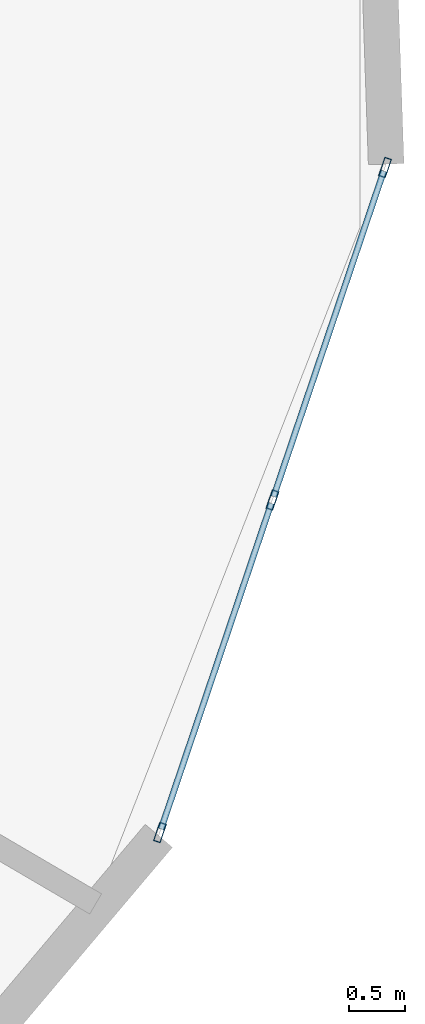
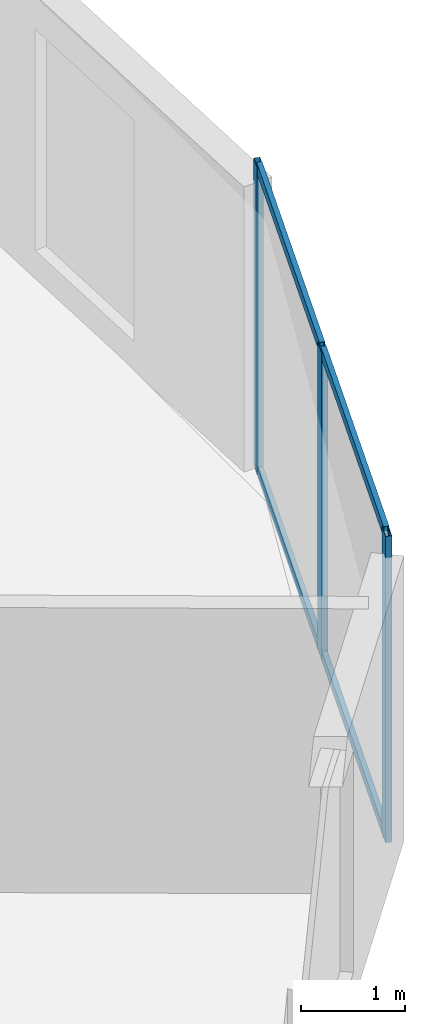
# One storey, part 11 of 25: 7 members, 1 element without a shape of its own.
"""IFC4 building model written with IfcOpenShell, lengths in metres."""

import ifcopenshell
import ifcopenshell.guid

model = None  # the IFC model being written
_history = None  # IfcOwnerHistory: only IFC2X3 demands one
_inside = {}  # id of a spatial element -> (the spatial element, [elements in it])
_under = {}  # id of a project, library or spatial element -> (it, [spatial elements below it])
_declared = {}  # id of a project -> (the project, [libraries it declares])
_typed = {}  # id of a type object -> (the type object, [elements of that type])
_made_of = {}  # id of a material, layer set ... -> (it, [elements and type objects made of it])


def new_model(schema):
    """Start an empty IFC model of exactly this schema.

    Asked for "IFC4X3", IfcOpenShell would pick the latest addendum, in which some entities
    have other attributes; the version numbers below select the first issue.
    IFC2X3 requires an IfcOwnerHistory on every rooted entity: one is made here for all.
    """
    global model, _history
    if schema == "IFC4X3":
        model = ifcopenshell.file(schema_version=(4, 3, 0, 0))
    else:
        model = ifcopenshell.file(schema=schema)
    _inside.clear()
    _under.clear()
    _declared.clear()
    _typed.clear()
    _made_of.clear()
    _history = None
    if model.schema == "IFC2X3":
        org = make("IfcOrganization", Name="unknown")
        user = make(
            "IfcPersonAndOrganization",
            ThePerson=make("IfcPerson", FamilyName="unknown"),
            TheOrganization=org,
        )
        app = make(
            "IfcApplication",
            ApplicationDeveloper=org,
            Version="unknown",
            ApplicationFullName="unknown",
            ApplicationIdentifier="unknown",
        )
        _history = make(
            "IfcOwnerHistory",
            OwningUser=user,
            OwningApplication=app,
            ChangeAction="ADDED",
            CreationDate=0,
        )
    return model


def make(cls, **values):
    """One entity of the class cls with the attributes given. An attribute that is None is left unset."""
    return model.create_entity(
        cls, **{name: value for name, value in values.items() if value is not None}
    )


def rooted(cls, **values):
    """An entity with a GlobalId (a new one), such as an element, a storey or a relation."""
    return make(cls, GlobalId=ifcopenshell.guid.new(), OwnerHistory=_history, **values)


def si_unit(unit_type, name, prefix=None):
    """IfcSIUnit, for example si_unit("LENGTHUNIT", "METRE", prefix="MILLI")."""
    return make("IfcSIUnit", UnitType=unit_type, Prefix=prefix, Name=name)


def assignment(units):
    """IfcUnitAssignment: the units of a project."""
    return None if units is None else make("IfcUnitAssignment", Units=units)


def point(xyz):
    """IfcCartesianPoint."""
    return None if xyz is None else make("IfcCartesianPoint", Coordinates=xyz)


def direction(xyz):
    """IfcDirection."""
    return None if xyz is None else make("IfcDirection", DirectionRatios=xyz)


def frame(location, z_axis=None, x_axis=None):
    """IfcAxis2Placement3D, a coordinate frame: its origin and axes. An axis left out is left unset."""
    return make(
        "IfcAxis2Placement3D",
        Location=point(location),
        Axis=direction(z_axis),
        RefDirection=direction(x_axis),
    )


def frame_2d(location, x_axis=None):
    """IfcAxis2Placement2D, a coordinate frame in the plane: its origin and x axis."""
    return make(
        "IfcAxis2Placement2D", Location=point(location), RefDirection=direction(x_axis)
    )


def origin():
    """The frame at (0, 0, 0) with its axes left unset."""
    return frame((0.0, 0.0, 0.0))


def origin_2d():
    """The frame at (0, 0) in the plane with its x axis left unset."""
    return frame_2d((0.0, 0.0))


def place(relative_to, where):
    """IfcLocalPlacement: puts the frame where relative to a parent placement (None: the world)."""
    return make(
        "IfcLocalPlacement", PlacementRelTo=relative_to, RelativePlacement=where
    )


def context(
    kind, dimensions, precision=None, world=None, true_north=None, identifier=None
):
    """IfcGeometricRepresentationContext, for example the 3D "Model" context."""
    return make(
        "IfcGeometricRepresentationContext",
        ContextIdentifier=identifier,
        ContextType=kind,
        CoordinateSpaceDimension=dimensions,
        Precision=precision,
        WorldCoordinateSystem=world,
        TrueNorth=true_north,
    )


def subcontext(parent, identifier, kind, view, scale=None):
    """IfcGeometricRepresentationSubContext, for example "Body" below "Model"."""
    return make(
        "IfcGeometricRepresentationSubContext",
        ContextIdentifier=identifier,
        ContextType=kind,
        ParentContext=parent,
        TargetScale=scale,
        TargetView=view,
    )


def project(units=None, contexts=None):
    """IfcProject with its units and contexts."""
    return rooted(
        "IfcProject",
        Name="project",
        RepresentationContexts=contexts,
        UnitsInContext=assignment(units),
    )


def spatial(cls, under=None, at=None, **own):
    """A site, building, storey or space (cls), placed at a placement, below another one or the project."""
    s = rooted(cls, ObjectPlacement=at, **own)
    if under is not None:
        _under.setdefault(under.id(), (under, []))[1].append(s)
    return s


def profile(cls, at=None, kind="AREA", **sizes):
    """A parametric profile (cls). Its sizes go by their IFC names, for example OverallWidth=200.0."""
    return make(cls, ProfileType=kind, Position=at, **sizes)


def hollow_rectangle(**sizes):
    """IfcRectangleHollowProfileDef."""
    return profile("IfcRectangleHollowProfileDef", **sizes)


def extrude(swept, where, along, depth):
    """IfcExtrudedAreaSolid: the profile swept, set in the frame where, extruded along a direction by depth."""
    return make(
        "IfcExtrudedAreaSolid",
        SweptArea=swept,
        Position=where,
        ExtrudedDirection=direction(along),
        Depth=depth,
    )


def shape(context_of_items, identifier, shape_type, items):
    """IfcShapeRepresentation: the items that make up one representation, for example the "Body"."""
    return make(
        "IfcShapeRepresentation",
        ContextOfItems=context_of_items,
        RepresentationIdentifier=identifier,
        RepresentationType=shape_type,
        Items=items,
    )


def source(mapping_origin, context_of_items, identifier, shape_type, items):
    """IfcRepresentationMap: a shape defined once, which mapped items show again and again."""
    return make(
        "IfcRepresentationMap",
        MappingOrigin=mapping_origin,
        MappedRepresentation=shape(context_of_items, identifier, shape_type, items),
    )


def transform(
    local_origin,
    x_axis=None,
    y_axis=None,
    z_axis=None,
    scale=None,
    scale2=None,
    scale3=None,
    uniform=True,
):
    """IfcCartesianTransformationOperator3D, or its non-uniform kind. x_axis, y_axis, z_axis: its Axis1, 2, 3."""
    if uniform:
        return make(
            "IfcCartesianTransformationOperator3D",
            Axis1=direction(x_axis),
            Axis2=direction(y_axis),
            LocalOrigin=point(local_origin),
            Scale=scale,
            Axis3=direction(z_axis),
        )
    return make(
        "IfcCartesianTransformationOperator3DnonUniform",
        Axis1=direction(x_axis),
        Axis2=direction(y_axis),
        LocalOrigin=point(local_origin),
        Scale=scale,
        Axis3=direction(z_axis),
        Scale2=scale2,
        Scale3=scale3,
    )


def mapped(mapping_source, mapping_target):
    """IfcMappedItem: shows the shape of a source again, moved by a transform."""
    return make(
        "IfcMappedItem", MappingSource=mapping_source, MappingTarget=mapping_target
    )


def material(Name=None, Category=None):
    """IfcMaterial."""
    return make("IfcMaterial", Name=Name, Category=Category)


def layer(
    of_material, thickness, ventilated=None, Name=None, Category=None, Priority=None
):
    """IfcMaterialLayer: one layer of a wall or slab, of a material (None: an air gap)."""
    return make(
        "IfcMaterialLayer",
        Material=of_material,
        LayerThickness=thickness,
        IsVentilated=ventilated,
        Name=Name,
        Category=Category,
        Priority=Priority,
    )


def layer_set(layers, Name=None):
    """IfcMaterialLayerSet."""
    return make("IfcMaterialLayerSet", MaterialLayers=layers, LayerSetName=Name)


def material_profile(
    of_material, cross_section, Name=None, Category=None, Priority=None
):
    """IfcMaterialProfile: a cross section and its material."""
    return make(
        "IfcMaterialProfile",
        Name=Name,
        Material=of_material,
        Profile=cross_section,
        Priority=Priority,
        Category=Category,
    )


def profile_set(profiles, Name=None, composite=None):
    """IfcMaterialProfileSet."""
    return make(
        "IfcMaterialProfileSet",
        Name=Name,
        MaterialProfiles=profiles,
        CompositeProfile=composite,
    )


def made_of(thing, what):
    """Note that an element or type object is made of a material, layer set ...; save() writes the relation."""
    if what is not None:
        _made_of.setdefault(what.id(), (what, []))[1].append(thing)
    return thing


def type_object(cls, material=None, **own):
    """A type object (cls), such as IfcWallType, which elements share."""
    return made_of(rooted(cls, **own), material)


def element(
    cls,
    number,
    at=None,
    inside=None,
    cuts=None,
    type_object=None,
    material=None,
    context=None,
    identifier="Body",
    shape_type=None,
    held_by="IfcProductDefinitionShape",
    body=None,
    shapes=None,
    **own,
):
    """One element of the class cls, such as IfcWall. Its Tag is "e" and its number.

    at: its placement. inside: the storey or other place that contains it. cuts: it is an
    opening in that element (IfcRelVoidsElement). A single representation is given by context,
    identifier, shape_type and body (its items); several are given by shapes. held_by: the class
    of the entity that holds the representations. save() writes the other relations.
    """
    e = rooted(cls, Tag="e%d" % number, ObjectPlacement=at, **own)
    if body is not None:
        shapes = [shape(context, identifier, shape_type, body)]
    if shapes is not None:
        e.Representation = make(held_by, Representations=shapes)
    if inside is not None:
        _inside.setdefault(inside.id(), (inside, []))[1].append(e)
    if cuts is not None:
        rooted(
            "IfcRelVoidsElement", RelatingBuildingElement=cuts, RelatedOpeningElement=e
        )
    if type_object is not None:
        _typed.setdefault(type_object.id(), (type_object, []))[1].append(e)
    return made_of(e, material)


def aggregate(whole, parts):
    """IfcRelAggregates: a whole, such as a stair, and the parts it consists of."""
    return rooted("IfcRelAggregates", RelatingObject=whole, RelatedObjects=parts)


def save(model, path):
    """Write the relations noted so far, then the file.

    IfcRelAggregates (storeys below a building ...), IfcRelContainedInSpatialStructure (elements
    in a storey), IfcRelDefinesByType, IfcRelAssociatesMaterial and IfcRelDeclares: one each for
    every whole, place, type object, material and project.
    """
    for whole, parts in _under.values():
        aggregate(whole, parts)
    for where, things in _inside.values():
        rooted(
            "IfcRelContainedInSpatialStructure",
            RelatedElements=things,
            RelatingStructure=where,
        )
    for kind, things in _typed.values():
        rooted("IfcRelDefinesByType", RelatedObjects=things, RelatingType=kind)
    for what, things in _made_of.values():
        rooted("IfcRelAssociatesMaterial", RelatedObjects=things, RelatingMaterial=what)
    for by, libraries in _declared.values():
        rooted("IfcRelDeclares", RelatingContext=by, RelatedDefinitions=libraries)
    model.write(path)


model = new_model("IFC4")

# Units and contexts
model_context = context("Model", 3, precision=1e-05, world=origin(), true_north=direction((0.0, 1.0)))
body_context = subcontext(model_context, "Body", "Model", "MODEL_VIEW")
ifc_project = project(units=[si_unit("LENGTHUNIT", "METRE"), si_unit("AREAUNIT", "SQUARE_METRE"), si_unit("VOLUMEUNIT", "CUBIC_METRE"), si_unit("PLANEANGLEUNIT", "RADIAN"), si_unit("MASSUNIT", "GRAM", prefix="KILO")], contexts=[model_context])

# Site, building, storey
site_placement = place(None, origin())
site = spatial("IfcSite", under=ifc_project, at=site_placement, CompositionType="ELEMENT")
building_placement = place(site_placement, origin())
building = spatial("IfcBuilding", under=site, at=building_placement, Name="Solvirekh Grand Hotel", CompositionType="ELEMENT")
storey_placement = place(building_placement, frame((0.0, 0.0, 102.60009765625)))
storey = spatial("IfcBuildingStorey", under=building, at=storey_placement, Name="L25", CompositionType="ELEMENT", Elevation=102.60009765625)

# Curtain wall, members
ifc_material = material(Name="Anodized Bronze Aluminium 6063-T6", Category="aluminium")
ifc_layer = layer(ifc_material, 0.175048828125)
ifc_layer_set = layer_set([ifc_layer], Name="Anodized Bronze Aluminium 6063-T6")
curtain_wall_type = type_object("IfcCurtainWallType", Name="CW_Sys3_MidZoneFlushBronzeCW", PredefinedType="NOTDEFINED", material=ifc_layer_set)
curtain_wall_placement = place(storey_placement, origin())
curtain_wall = element("IfcCurtainWall", 1, at=curtain_wall_placement, inside=storey, type_object=curtain_wall_type, Name="L25 unitised bronze-glass curtain wall CW-L25-C01", PredefinedType="NOTDEFINED")
ifc_material_profile_1 = material_profile(ifc_material, hollow_rectangle(XDim=0.06494140625, YDim=0.175048828125, WallThickness=0.0048828125, at=origin_2d()), Name="ALU RHS 175X65X5")
ifc_profile_set_1 = profile_set([ifc_material_profile_1], Name="Anodized Bronze Aluminium 6063-T6")
member_type_1 = type_object("IfcMemberType", Name="CWMullion_Sys3", PredefinedType="MULLION", material=ifc_profile_set_1)
shared_shape_1 = source(origin(), body_context, "Body", "SweptSolid", [
    extrude(hollow_rectangle(XDim=0.06494140625, YDim=0.175048828125, WallThickness=0.0048828125, at=origin_2d()), origin(), (0.0, 0.0, 1.0), 3.599853515625),
])
member_1_placement = place(storey_placement, frame((22.279541015625, -11.88818359375, 0.0), z_axis=(0.0, 0.0, 1.0), x_axis=(-0.947213035477, 0.320604843106, 0.0)))
member_1 = element("IfcMember", 2, at=member_1_placement, type_object=member_type_1, Name="U03 mullion 1", PredefinedType="MULLION", context=body_context, shape_type="MappedRepresentation", body=[
    mapped(shared_shape_1, transform((0.0, 0.0, 0.0), x_axis=(1.0, 0.0, 0.0), y_axis=(0.0, 1.0, 0.0), z_axis=(0.0, 0.0, 1.0), scale=1.0)),
])
member_2_placement = place(storey_placement, frame((23.2900390625, -8.902587890625, 0.0), z_axis=(0.0, 0.0, 1.0), x_axis=(-0.947213035477, 0.320604843106, 0.0)))
member_2 = element("IfcMember", 3, at=member_2_placement, type_object=member_type_1, Name="U03 mullion 2", PredefinedType="MULLION", context=body_context, shape_type="MappedRepresentation", body=[
    mapped(shared_shape_1, transform((0.0, 0.0, 0.0), x_axis=(1.0, 0.0, 0.0), y_axis=(0.0, 1.0, 0.0), z_axis=(0.0, 0.0, 1.0), scale=1.0)),
])
member_3_placement = place(storey_placement, frame((24.300537109375, -5.916748046875, 0.0), z_axis=(0.0, 0.0, 1.0), x_axis=(-0.947213035477, 0.320604843106, 0.0)))
member_3 = element("IfcMember", 4, at=member_3_placement, type_object=member_type_1, Name="U03 mullion 3", PredefinedType="MULLION", context=body_context, shape_type="MappedRepresentation", body=[
    mapped(shared_shape_1, transform((0.0, 0.0, 0.0), x_axis=(1.0, 0.0, 0.0), y_axis=(0.0, 1.0, 0.0), z_axis=(0.0, 0.0, 1.0), scale=1.0)),
])
ifc_material_profile_2 = material_profile(ifc_material, hollow_rectangle(XDim=0.054931640625, YDim=0.1201171875, WallThickness=0.00390625, at=origin_2d()), Name="ALU RHS 120X55X4")
ifc_profile_set_2 = profile_set([ifc_material_profile_2], Name="Anodized Bronze Aluminium 6063-T6")
member_type_2 = type_object("IfcMemberType", Name="CWTransom_Sys3", PredefinedType="USERDEFINED", material=ifc_profile_set_2)
shared_shape_2 = source(origin(), body_context, "Body", "SweptSolid", [
    extrude(hollow_rectangle(XDim=0.054931640625, YDim=0.1201171875, WallThickness=0.00390625, at=origin_2d()), origin(), (0.0, 0.0, 1.0), 3.087158203125),
])
member_4_placement = place(storey_placement, frame((22.289794921875, -11.857421875, 0.02734375), z_axis=(0.320613640642, 0.947210057714, 0.0), x_axis=(-0.947210057714, 0.320613640642, 0.0)))
member_4 = element("IfcMember", 5, at=member_4_placement, type_object=member_type_2, Name="U03 transom 1.1", ObjectType="TRANSOM", PredefinedType="USERDEFINED", context=body_context, shape_type="MappedRepresentation", body=[
    mapped(shared_shape_2, transform((0.0, 0.0, 0.0), x_axis=(1.0, 0.0, 0.0), y_axis=(0.0, 1.0, 0.0), z_axis=(0.0, 0.0, 1.0), scale=1.0)),
])
member_5_placement = place(storey_placement, frame((22.289794921875, -11.857421875, 3.572509765625), z_axis=(0.320613640642, 0.947210057714, 0.0), x_axis=(-0.947210057714, 0.320613640642, 0.0)))
member_5 = element("IfcMember", 6, at=member_5_placement, type_object=member_type_2, Name="U03 transom 1.2", ObjectType="TRANSOM", PredefinedType="USERDEFINED", context=body_context, shape_type="MappedRepresentation", body=[
    mapped(shared_shape_2, transform((0.0, 0.0, 0.0), x_axis=(1.0, 0.0, 0.0), y_axis=(0.0, 1.0, 0.0), z_axis=(0.0, 0.0, 1.0), scale=1.0)),
])
member_6_placement = place(storey_placement, frame((23.300537109375, -8.871826171875, 0.02734375), z_axis=(0.320518670024, 0.947242198261, 0.0), x_axis=(-0.947242198261, 0.320518670024, 0.0)))
member_6 = element("IfcMember", 7, at=member_6_placement, type_object=member_type_2, Name="U03 transom 2.1", ObjectType="TRANSOM", PredefinedType="USERDEFINED", context=body_context, shape_type="MappedRepresentation", body=[
    mapped(shared_shape_2, transform((0.0, 0.0, 0.0), x_axis=(1.0, 0.0, 0.0), y_axis=(0.0, 1.0, 0.0), z_axis=(0.0, 0.0, 1.0), scale=1.0)),
])
member_7_placement = place(storey_placement, frame((23.300537109375, -8.871826171875, 3.572509765625), z_axis=(0.320518670024, 0.947242198261, 0.0), x_axis=(-0.947242198261, 0.320518670024, 0.0)))
member_7 = element("IfcMember", 8, at=member_7_placement, type_object=member_type_2, Name="U03 transom 2.2", ObjectType="TRANSOM", PredefinedType="USERDEFINED", context=body_context, shape_type="MappedRepresentation", body=[
    mapped(shared_shape_2, transform((0.0, 0.0, 0.0), x_axis=(1.0, 0.0, 0.0), y_axis=(0.0, 1.0, 0.0), z_axis=(0.0, 0.0, 1.0), scale=1.0)),
])
aggregate(curtain_wall, [member_1, member_2, member_3, member_4, member_5, member_6, member_7])

save(model, "model.ifc")
